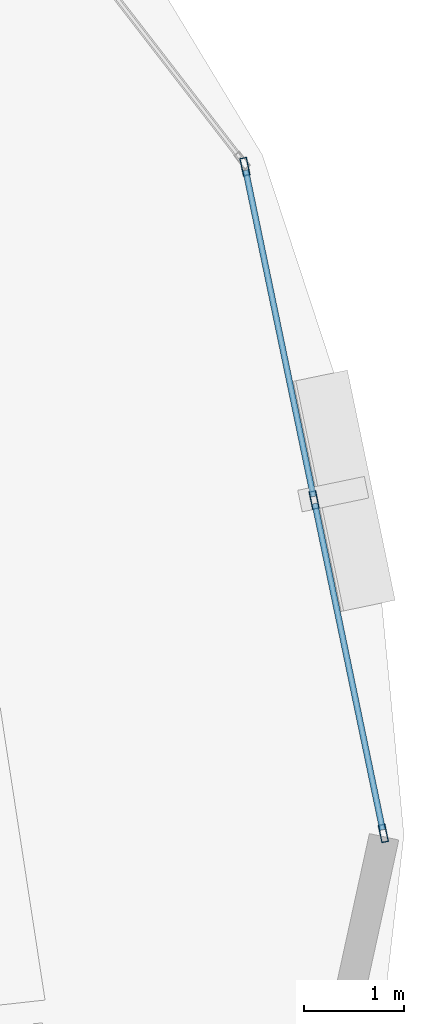
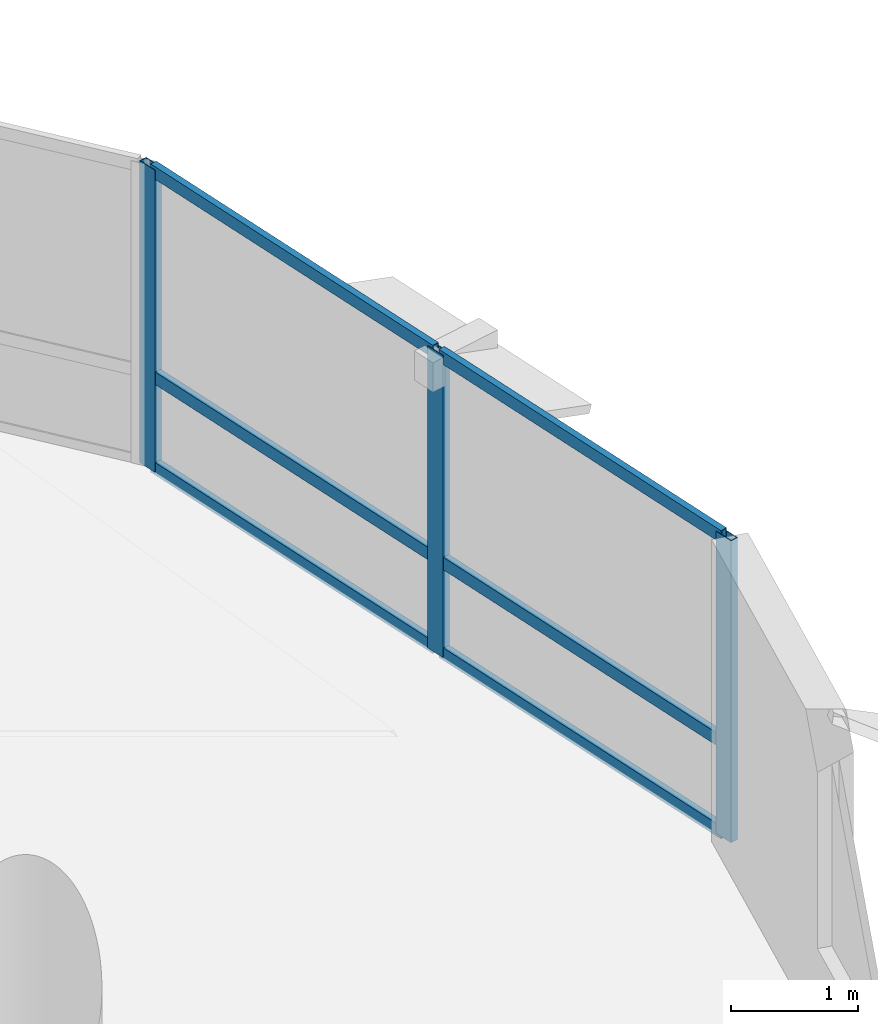
# One storey, part 6 of 14: 9 members, 1 element without a shape of its own.
"""IFC4 building model written with IfcOpenShell, lengths in metres."""

from ifc_helpers import new_model, si_unit, direction, frame, origin, origin_2d, place, context, subcontext, project, spatial, hollow_rectangle, extrude, material, layer, layer_set, material_profile, profile_set, type_object, element, aggregate, save


model = new_model("IFC4")

# Units and contexts
model_context = context("Model", 3, precision=1e-05, world=origin(), true_north=direction((0.0, 1.0)))
body_context = subcontext(model_context, "Body", "Model", "MODEL_VIEW")
ifc_project = project(units=[si_unit("LENGTHUNIT", "METRE"), si_unit("AREAUNIT", "SQUARE_METRE"), si_unit("VOLUMEUNIT", "CUBIC_METRE"), si_unit("PLANEANGLEUNIT", "RADIAN"), si_unit("MASSUNIT", "GRAM", prefix="KILO"), si_unit("THERMODYNAMICTEMPERATUREUNIT", "KELVIN"), si_unit("POWERUNIT", "WATT")], contexts=[model_context])

# Site, building, storey
site_placement = place(None, origin())
site = spatial("IfcSite", under=ifc_project, at=site_placement, CompositionType="ELEMENT")
building_placement = place(site_placement, origin())
building = spatial("IfcBuilding", under=site, at=building_placement, Name="Ocrelia Relay Tower", CompositionType="ELEMENT")
storey_placement = place(building_placement, frame((0.0, 0.0, 137.800048828125)))
storey = spatial("IfcBuildingStorey", under=building, at=storey_placement, Name="L32", CompositionType="ELEMENT", Elevation=137.800048828125)

# Curtain wall, members
ifc_material_1 = material(Name="Aluminium and solar-control low-E glass", Category="aluminium")
ifc_layer = layer(ifc_material_1, 0.179931640625, Name="Aluminium and solar-control low-E glass")
ifc_layer_set = layer_set([ifc_layer], Name="Aluminium and solar-control low-E glass")
curtain_wall_type = type_object("IfcCurtainWallType", Name="CW-SYS-Z2-SWIT", PredefinedType="NOTDEFINED", material=ifc_layer_set)
curtain_wall_placement = place(storey_placement, origin())
curtain_wall = element("IfcCurtainWall", 1, at=curtain_wall_placement, inside=storey, type_object=curtain_wall_type, Name="L32 Elliptical Tower Curtain Wall Bay 18", PredefinedType="NOTDEFINED")
ifc_material_2 = material(Name="Anodised bronze aluminium", Category="aluminium")
ifc_material_profile_1 = material_profile(ifc_material_2, hollow_rectangle(XDim=0.070068359375, YDim=0.179931640625, WallThickness=0.006103515625, at=origin_2d()), Name="CW-MUL-180x70")
ifc_profile_set_1 = profile_set([ifc_material_profile_1], Name="Anodised bronze aluminium")
member_type_1 = type_object("IfcMemberType", Name="CW-SYS-Z2-SWIT-MUL", PredefinedType="MULLION", material=ifc_profile_set_1)
member_1_placement = place(storey_placement, frame((58.649169921875, 29.996337890625, 0.0), z_axis=(0.0, 0.0, 1.0), x_axis=(-0.979113967435, -0.203312170747, 0.0)))
member_1 = element("IfcMember", 2, at=member_1_placement, type_object=member_type_1, Name="CW-Z2 mullion 1", PredefinedType="MULLION", context=body_context, shape_type="SweptSolid", body=[
    extrude(hollow_rectangle(XDim=0.070068359375, YDim=0.179931640625, WallThickness=0.006103515625, at=origin_2d()), origin(), (0.0, 0.0, 1.0), 2.89990234375),
])
member_2_placement = place(storey_placement, frame((57.95703125, 33.32958984375, 0.0), z_axis=(0.0, 0.0, 1.0), x_axis=(-0.979113967435, -0.203312170747, 0.0)))
member_2 = element("IfcMember", 3, at=member_2_placement, type_object=member_type_1, Name="CW-Z2 mullion 2", PredefinedType="MULLION", context=body_context, shape_type="SweptSolid", body=[
    extrude(hollow_rectangle(XDim=0.070068359375, YDim=0.179931640625, WallThickness=0.006103515625, at=origin_2d()), origin(), (0.0, 0.0, 1.0), 2.89990234375),
])
member_3_placement = place(storey_placement, frame((57.264892578125, 36.6630859375, 0.0), z_axis=(0.0, 0.0, 1.0), x_axis=(-0.979113967435, -0.203312170747, 0.0)))
member_3 = element("IfcMember", 4, at=member_3_placement, type_object=member_type_1, Name="CW-Z2 mullion 3", PredefinedType="MULLION", context=body_context, shape_type="SweptSolid", body=[
    extrude(hollow_rectangle(XDim=0.070068359375, YDim=0.179931640625, WallThickness=0.006103515625, at=origin_2d()), origin(), (0.0, 0.0, 1.0), 2.89990234375),
])
ifc_material_profile_2 = material_profile(ifc_material_2, hollow_rectangle(XDim=0.06005859375, YDim=0.1201171875, WallThickness=0.0048828125, at=origin_2d()), Name="CW-TRN-120x60")
ifc_profile_set_2 = profile_set([ifc_material_profile_2], Name="Anodised bronze aluminium")
member_type_2 = type_object("IfcMemberType", Name="CW-SYS-Z2-SWIT-TRN", PredefinedType="USERDEFINED", material=ifc_profile_set_2)
member_4_placement = place(storey_placement, frame((58.64208984375, 30.030517578125, 0.030029296875), z_axis=(-0.203319757184, 0.979112392087, 0.0), x_axis=(-0.979112392087, -0.203319757184, 0.0)))
member_4 = element("IfcMember", 5, at=member_4_placement, type_object=member_type_2, Name="CW-Z2 transom 1.1", ObjectType="TRANSOM", PredefinedType="USERDEFINED", context=body_context, shape_type="SweptSolid", body=[
    extrude(hollow_rectangle(XDim=0.06005859375, YDim=0.1201171875, WallThickness=0.0048828125, at=origin_2d()), origin(), (0.0, 0.0, 1.0), 3.33447265625),
])
member_5_placement = place(storey_placement, frame((58.64208984375, 30.030517578125, 0.89990234375), z_axis=(-0.203319757184, 0.979112392087, 0.0), x_axis=(-0.979112392087, -0.203319757184, 0.0)))
member_5 = element("IfcMember", 6, at=member_5_placement, type_object=member_type_2, Name="CW-Z2 transom 1.2", ObjectType="TRANSOM", PredefinedType="USERDEFINED", context=body_context, shape_type="SweptSolid", body=[
    extrude(hollow_rectangle(XDim=0.06005859375, YDim=0.1201171875, WallThickness=0.0048828125, at=origin_2d()), origin(), (0.0, 0.0, 1.0), 3.33447265625),
])
member_6_placement = place(storey_placement, frame((58.64208984375, 30.030517578125, 2.869873046875), z_axis=(-0.203319757184, 0.979112392087, 0.0), x_axis=(-0.979112392087, -0.203319757184, 0.0)))
member_6 = element("IfcMember", 7, at=member_6_placement, type_object=member_type_2, Name="CW-Z2 transom 1.3", ObjectType="TRANSOM", PredefinedType="USERDEFINED", context=body_context, shape_type="SweptSolid", body=[
    extrude(hollow_rectangle(XDim=0.06005859375, YDim=0.1201171875, WallThickness=0.0048828125, at=origin_2d()), origin(), (0.0, 0.0, 1.0), 3.33447265625),
])
member_7_placement = place(storey_placement, frame((57.949951171875, 33.364013671875, 0.030029296875), z_axis=(-0.203319757184, 0.979112392087, 0.0), x_axis=(-0.979112392087, -0.203319757184, 0.0)))
member_7 = element("IfcMember", 8, at=member_7_placement, type_object=member_type_2, Name="CW-Z2 transom 2.1", ObjectType="TRANSOM", PredefinedType="USERDEFINED", context=body_context, shape_type="SweptSolid", body=[
    extrude(hollow_rectangle(XDim=0.06005859375, YDim=0.1201171875, WallThickness=0.0048828125, at=origin_2d()), origin(), (0.0, 0.0, 1.0), 3.33447265625),
])
member_8_placement = place(storey_placement, frame((57.949951171875, 33.364013671875, 0.89990234375), z_axis=(-0.203319757184, 0.979112392087, 0.0), x_axis=(-0.979112392087, -0.203319757184, 0.0)))
member_8 = element("IfcMember", 9, at=member_8_placement, type_object=member_type_2, Name="CW-Z2 transom 2.2", ObjectType="TRANSOM", PredefinedType="USERDEFINED", context=body_context, shape_type="SweptSolid", body=[
    extrude(hollow_rectangle(XDim=0.06005859375, YDim=0.1201171875, WallThickness=0.0048828125, at=origin_2d()), origin(), (0.0, 0.0, 1.0), 3.33447265625),
])
member_9_placement = place(storey_placement, frame((57.949951171875, 33.364013671875, 2.869873046875), z_axis=(-0.203319757184, 0.979112392087, 0.0), x_axis=(-0.979112392087, -0.203319757184, 0.0)))
member_9 = element("IfcMember", 10, at=member_9_placement, type_object=member_type_2, Name="CW-Z2 transom 2.3", ObjectType="TRANSOM", PredefinedType="USERDEFINED", context=body_context, shape_type="SweptSolid", body=[
    extrude(hollow_rectangle(XDim=0.06005859375, YDim=0.1201171875, WallThickness=0.0048828125, at=origin_2d()), origin(), (0.0, 0.0, 1.0), 3.33447265625),
])
aggregate(curtain_wall, [member_1, member_2, member_3, member_4, member_5, member_6, member_7, member_8, member_9])

save(model, "model.ifc")
